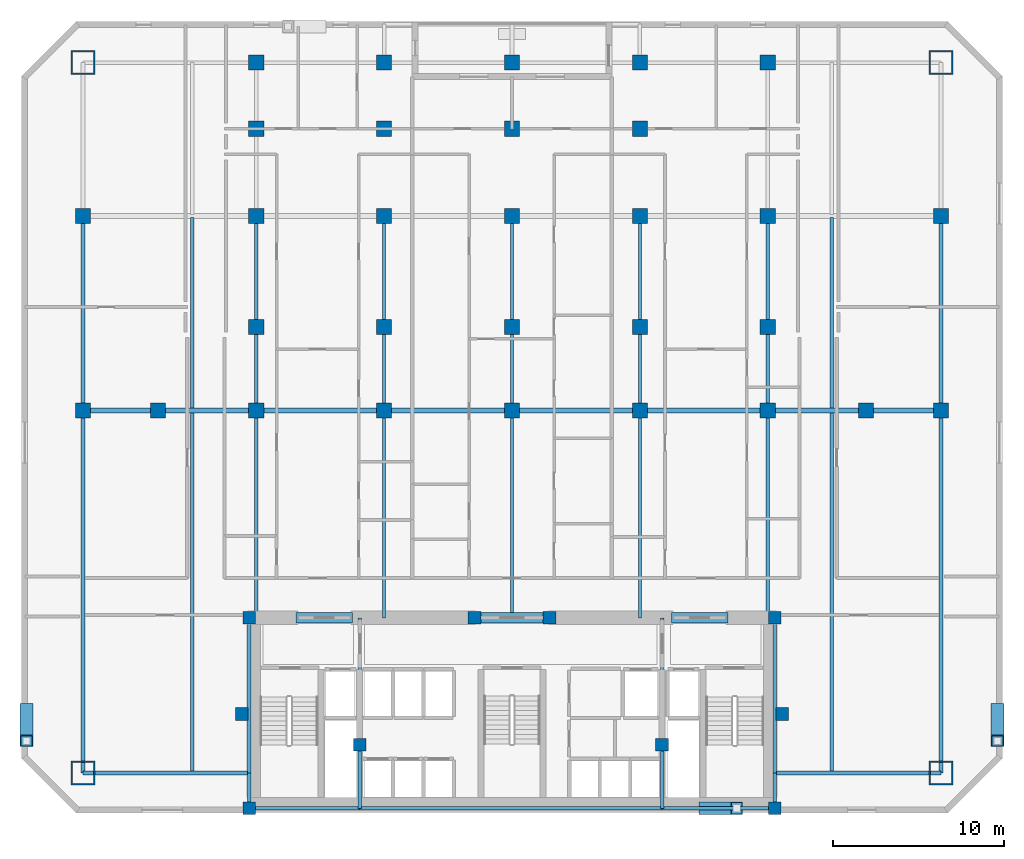
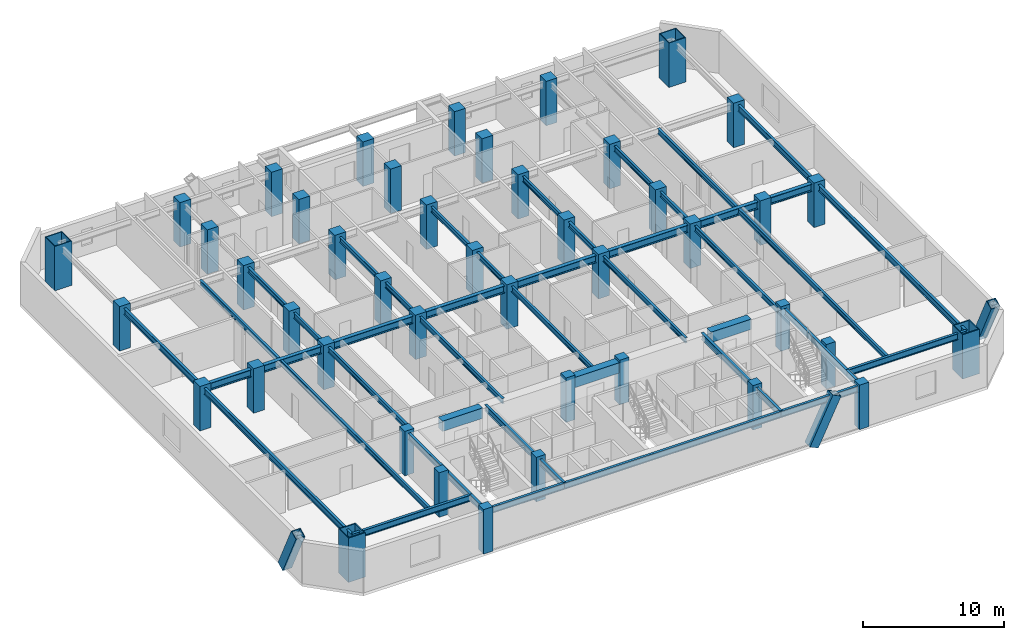
# One storey, part 1 of 9: 44 columns, 42 beams, 3 members.
"""IFC4 building model written with IfcOpenShell, lengths in metres."""

from ifc_helpers import new_model, si_unit, direction, frame, origin, origin_2d, place, context, subcontext, project, spatial, rectangle, hollow_rectangle, i_section, extrude, material, material_profile, profile_set, type_object, element, save


model = new_model("IFC4")

# Units and contexts
model_context = context("Model", 3, precision=1e-05, world=origin(), true_north=direction((0.0, 1.0)))
body_context = subcontext(model_context, "Body", "Model", "MODEL_VIEW")
ifc_project = project(units=[si_unit("LENGTHUNIT", "METRE"), si_unit("AREAUNIT", "SQUARE_METRE"), si_unit("VOLUMEUNIT", "CUBIC_METRE"), si_unit("PLANEANGLEUNIT", "RADIAN"), si_unit("MASSUNIT", "GRAM", prefix="KILO")], contexts=[model_context])

# Site, building, storey
site_placement = place(None, origin())
site = spatial("IfcSite", under=ifc_project, at=site_placement, CompositionType="ELEMENT")
building_placement = place(site_placement, origin())
building = spatial("IfcBuilding", under=site, at=building_placement, Name="Ventersveld Concourse Tower", CompositionType="ELEMENT")
storey_placement = place(building_placement, frame((0.0, 0.0, 52.89990234375)))
storey = spatial("IfcBuildingStorey", under=building, at=storey_placement, Name="L12", CompositionType="ELEMENT", Elevation=52.89990234375)

# Columns
ifc_material_1 = material(Name="Concrete C50/60", Category="concrete")
ifc_material_profile_1 = material_profile(ifc_material_1, rectangle(XDim=0.75, YDim=0.75, at=origin_2d()), Name="RC 750x750")
ifc_profile_set_1 = profile_set([ifc_material_profile_1], Name="Concrete C50/60")
column_type_1 = type_object("IfcColumnType", Name="COL-RC750", PredefinedType="COLUMN", material=ifc_profile_set_1)
for number, where, z_axis, x_axis, name in (
    (1, (13.35009765625, 0.280029296875, 0.0), (0.0, 0.0, 1.0), (1.0, 0.0, 0.0), "L12 Core Spine Column CC-SW"),
    (2, (44.14990234375, 0.280029296875, 0.0), (0.0, 0.0, 1.0), (1.0, 0.0, 0.0), "L12 Core Spine Column CC-SE"),
    (3, (13.35009765625, 11.449951171875, 0.0), (0.0, 0.0, 1.0), (1.0, 0.0, 0.0), "L12 Core Spine Column CC-NW"),
    (4, (44.14990234375, 11.449951171875, 0.0), (0.0, 0.0, 1.0), (1.0, 0.0, 0.0), "L12 Core Spine Column CC-NE"),
    (5, (19.820068359375, 4.0, 0.0), (0.0, 0.0, 1.0), (1.0, 0.0, 0.0), "L12 Core Spine Column CM-1"),
    (6, (37.550048828125, 4.0, 0.0), (0.0, 0.0, 1.0), (1.0, 0.0, 0.0), "L12 Core Spine Column CM-2"),
    (7, (26.550048828125, 11.449951171875, 0.0), (0.0, 0.0, 1.0), (1.0, 0.0, 0.0), "L12 Core Spine Column CM-3"),
    (8, (30.949951171875, 11.449951171875, 0.0), (0.0, 0.0, 1.0), (1.0, 0.0, 0.0), "L12 Core Spine Column CM-4"),
):
    element("IfcColumn", number, at=place(storey_placement, frame(where, z_axis=z_axis, x_axis=x_axis)), inside=storey, type_object=column_type_1, Name=name, PredefinedType="COLUMN", context=body_context, shape_type="SweptSolid", body=[
        extrude(rectangle(XDim=0.75, YDim=0.75, at=origin_2d()), origin(), (0.0, 0.0, 1.0), 3.85009765625),
    ])
ifc_material_2 = material(Name="Concrete C60/75", Category="concrete")
ifc_material_profile_2 = material_profile(ifc_material_2, rectangle(XDim=0.89990234375, YDim=0.89990234375, at=origin_2d()), Name="RC 900x900")
ifc_profile_set_2 = profile_set([ifc_material_profile_2], Name="Concrete C60/75")
column_type_2 = type_object("IfcColumnType", Name="COL-RC900", PredefinedType="COLUMN", material=ifc_profile_set_2)
for number, where, z_axis, x_axis, name in (
    (9, (3.60009765625, 23.60009765625, 0.0), (0.0, 0.0, 1.0), (1.0, 0.0, 0.0), "L12 Interior Gravity Column X=3.60 Y=23.60"),
    (10, (8.0, 23.60009765625, 0.0), (0.0, 0.0, 1.0), (1.0, 0.0, 0.0), "L12 Interior Gravity Column X=8.00 Y=23.60"),
    (11, (13.75, 23.60009765625, 0.0), (0.0, 0.0, 1.0), (1.0, 0.0, 0.0), "L12 Interior Gravity Column X=13.75 Y=23.60"),
    (12, (21.25, 23.60009765625, 0.0), (0.0, 0.0, 1.0), (1.0, 0.0, 0.0), "L12 Interior Gravity Column X=21.25 Y=23.60"),
    (13, (28.75, 23.60009765625, 0.0), (0.0, 0.0, 1.0), (1.0, 0.0, 0.0), "L12 Interior Gravity Column X=28.75 Y=23.60"),
    (14, (36.25, 23.60009765625, 0.0), (0.0, 0.0, 1.0), (1.0, 0.0, 0.0), "L12 Interior Gravity Column X=36.25 Y=23.60"),
    (15, (43.75, 23.60009765625, 0.0), (0.0, 0.0, 1.0), (1.0, 0.0, 0.0), "L12 Interior Gravity Column X=43.75 Y=23.60"),
    (16, (49.5, 23.60009765625, 0.0), (0.0, 0.0, 1.0), (1.0, 0.0, 0.0), "L12 Interior Gravity Column X=49.50 Y=23.60"),
    (17, (53.89990234375, 23.60009765625, 0.0), (0.0, 0.0, 1.0), (1.0, 0.0, 0.0), "L12 Interior Gravity Column X=53.90 Y=23.60"),
    (18, (13.75, 28.5, 0.0), (0.0, 0.0, 1.0), (1.0, 0.0, 0.0), "L12 Upper-North Gravity Column X=13.75 Y=28.50"),
    (19, (21.25, 28.5, 0.0), (0.0, 0.0, 1.0), (1.0, 0.0, 0.0), "L12 Upper-North Gravity Column X=21.25 Y=28.50"),
    (20, (28.75, 28.5, 0.0), (0.0, 0.0, 1.0), (1.0, 0.0, 0.0), "L12 Upper-North Gravity Column X=28.75 Y=28.50"),
    (21, (36.25, 28.5, 0.0), (0.0, 0.0, 1.0), (1.0, 0.0, 0.0), "L12 Upper-North Gravity Column X=36.25 Y=28.50"),
    (22, (43.75, 28.5, 0.0), (0.0, 0.0, 1.0), (1.0, 0.0, 0.0), "L12 Upper-North Gravity Column X=43.75 Y=28.50"),
    (23, (3.60009765625, 35.0, 0.0), (0.0, 0.0, 1.0), (1.0, 0.0, 0.0), "L12 Flank Column X=3.60 Y=35.00"),
    (24, (53.89990234375, 35.0, 0.0), (0.0, 0.0, 1.0), (1.0, 0.0, 0.0), "L12 Flank Column X=53.90 Y=35.00"),
    (25, (13.75, 44.0, 0.0), (0.0, 0.0, 1.0), (1.0, 0.0, 0.0), "L12 North Perimeter Column X=13.75 Y=44.00"),
    (26, (21.25, 44.0, 0.0), (0.0, 0.0, 1.0), (1.0, 0.0, 0.0), "L12 North Perimeter Column X=21.25 Y=44.00"),
    (27, (28.75, 44.0, 0.0), (0.0, 0.0, 1.0), (1.0, 0.0, 0.0), "L12 North Perimeter Column X=28.75 Y=44.00"),
    (28, (36.25, 44.0, 0.0), (0.0, 0.0, 1.0), (1.0, 0.0, 0.0), "L12 North Perimeter Column X=36.25 Y=44.00"),
    (29, (43.75, 44.0, 0.0), (0.0, 0.0, 1.0), (1.0, 0.0, 0.0), "L12 North Perimeter Column X=43.75 Y=44.00"),
    (30, (13.75, 40.1201171875, 0.0), (0.0, 0.0, 1.0), (1.0, 0.0, 0.0), "L12 North Brace Node Column X=13.75 Y=40.12"),
    (31, (21.25, 40.1201171875, 0.0), (0.0, 0.0, 1.0), (1.0, 0.0, 0.0), "L12 North Brace Node Column X=21.25 Y=40.12"),
    (32, (28.75, 40.1201171875, 0.0), (0.0, 0.0, 1.0), (1.0, 0.0, 0.0), "L12 North Brace Node Column X=28.75 Y=40.12"),
    (33, (36.25, 40.1201171875, 0.0), (0.0, 0.0, 1.0), (1.0, 0.0, 0.0), "L12 North Brace Node Column X=36.25 Y=40.12"),
    (34, (13.75, 35.0, 0.0), (0.0, 0.0, 1.0), (1.0, 0.0, 0.0), "L12 Mid-North Column X=13.75 Y=35.00"),
    (35, (21.25, 35.0, 0.0), (0.0, 0.0, 1.0), (1.0, 0.0, 0.0), "L12 Mid-North Column X=21.25 Y=35.00"),
    (36, (28.75, 35.0, 0.0), (0.0, 0.0, 1.0), (1.0, 0.0, 0.0), "L12 Mid-North Column X=28.75 Y=35.00"),
    (37, (36.25, 35.0, 0.0), (0.0, 0.0, 1.0), (1.0, 0.0, 0.0), "L12 Mid-North Column X=36.25 Y=35.00"),
    (38, (43.75, 35.0, 0.0), (0.0, 0.0, 1.0), (1.0, 0.0, 0.0), "L12 Mid-North Column X=43.75 Y=35.00"),
):
    element("IfcColumn", number, at=place(storey_placement, frame(where, z_axis=z_axis, x_axis=x_axis)), inside=storey, type_object=column_type_2, Name=name, PredefinedType="COLUMN", context=body_context, shape_type="SweptSolid", body=[
        extrude(rectangle(XDim=0.89990234375, YDim=0.89990234375, at=origin_2d()), origin(), (0.0, 0.0, 1.0), 3.85009765625),
    ])
ifc_material_3 = material(Name="Structural steel S460ML", Category="steel")
ifc_material_profile_3 = material_profile(ifc_material_3, hollow_rectangle(XDim=1.39990234375, YDim=1.39990234375, WallThickness=0.080078125, at=origin_2d()), Name="BOX 1400x1400x80")
ifc_profile_set_3 = profile_set([ifc_material_profile_3], Name="Structural steel S460ML")
column_type_3 = type_object("IfcColumnType", Name="MC-1400", PredefinedType="USERDEFINED", material=ifc_profile_set_3)
for number, where, z_axis, x_axis, name in (
    (39, (3.60009765625, 2.35009765625, 0.0), (0.0, 0.0, 1.0), (1.0, 0.0, 0.0), "L12 Corner Mega-Column MC-SW"),
    (40, (53.89990234375, 2.35009765625, 0.0), (0.0, 0.0, 1.0), (1.0, 0.0, 0.0), "L12 Corner Mega-Column MC-SE"),
    (41, (53.89990234375, 44.0, 0.0), (0.0, 0.0, 1.0), (1.0, 0.0, 0.0), "L12 Corner Mega-Column MC-NE"),
    (42, (3.60009765625, 44.0, 0.0), (0.0, 0.0, 1.0), (1.0, 0.0, 0.0), "L12 Corner Mega-Column MC-NW"),
):
    element("IfcColumn", number, at=place(storey_placement, frame(where, z_axis=z_axis, x_axis=x_axis)), inside=storey, type_object=column_type_3, Name=name, ObjectType="MEGA_COLUMN", PredefinedType="USERDEFINED", context=body_context, shape_type="SweptSolid", body=[
        extrude(hollow_rectangle(XDim=1.39990234375, YDim=1.39990234375, WallThickness=0.080078125, at=origin_2d()), origin(), (0.0, 0.0, 1.0), 3.85009765625),
    ])
ifc_material_profile_4 = material_profile(ifc_material_1, rectangle(XDim=0.75, YDim=0.75, at=origin_2d()), Name="RC 750x750")
ifc_profile_set_4 = profile_set([ifc_material_profile_4], Name="Concrete C50/60")
column_type_4 = type_object("IfcColumnType", Name="PIL-RC750", PredefinedType="PILASTER", material=ifc_profile_set_4)
for number, where, z_axis, x_axis, name in (
    (43, (12.89990234375, 5.800048828125, 0.0), (0.0, 0.0, 1.0), (1.0, 0.0, 0.0), "L12 Core Engaged Pilaster PIL-W"),
    (44, (44.60009765625, 5.800048828125, 0.0), (0.0, 0.0, 1.0), (1.0, 0.0, 0.0), "L12 Core Engaged Pilaster PIL-E"),
):
    element("IfcColumn", number, at=place(storey_placement, frame(where, z_axis=z_axis, x_axis=x_axis)), inside=storey, type_object=column_type_4, Name=name, PredefinedType="PILASTER", context=body_context, shape_type="SweptSolid", body=[
        extrude(rectangle(XDim=0.75, YDim=0.75, at=origin_2d()), origin(), (0.0, 0.0, 1.0), 3.85009765625),
    ])

# Beams
ifc_material_4 = material(Name="Structural steel S355J2", Category="steel")
ifc_material_profile_5 = material_profile(ifc_material_4, i_section(OverallWidth=0.19140625, OverallDepth=0.4599609375, WebThickness=0.010009765625, FlangeThickness=0.01611328125, FilletRadius=0.01025390625, at=origin_2d()), Name="UB 457x191x82")
ifc_profile_set_5 = profile_set([ifc_material_profile_5], Name="Structural steel S355J2")
beam_type_1 = type_object("IfcBeamType", Name="BM-UB457H", PredefinedType="BEAM", material=ifc_profile_set_5)
beam_1_placement = place(storey_placement, frame((10.0, 2.35009765625, 3.3701171875), z_axis=(0.0, 1.0, 0.0), x_axis=(-1.0, 0.0, 0.0)))
element("IfcBeam", 45, at=beam_1_placement, inside=storey, type_object=beam_type_1, Name="L12 N-S Composite Floor Beam South X=10.00", PredefinedType="BEAM", context=body_context, shape_type="SweptSolid", body=[
    extrude(i_section(OverallWidth=0.19140625, OverallDepth=0.4599609375, WebThickness=0.010009765625, FlangeThickness=0.01611328125, FilletRadius=0.01025390625, at=origin_2d()), origin(), (0.0, 0.0, 1.0), 21.15478515625),
])
beam_2_placement = place(storey_placement, frame((10.0, 23.695068359375, 3.3701171875), z_axis=(0.0, 1.0, 0.0), x_axis=(-1.0, 0.0, 0.0)))
element("IfcBeam", 46, at=beam_2_placement, inside=storey, type_object=beam_type_1, Name="L12 N-S Composite Floor Beam Mid X=10.00", PredefinedType="BEAM", context=body_context, shape_type="SweptSolid", body=[
    extrude(i_section(OverallWidth=0.19140625, OverallDepth=0.4599609375, WebThickness=0.010009765625, FlangeThickness=0.01611328125, FilletRadius=0.01025390625, at=origin_2d()), origin(), (0.0, 0.0, 1.0), 11.2099609375),
])
beam_3_placement = place(storey_placement, frame((13.75, 11.449951171875, 3.3701171875), z_axis=(0.0, 1.0, 0.0), x_axis=(-1.0, 0.0, 0.0)))
element("IfcBeam", 47, at=beam_3_placement, inside=storey, type_object=beam_type_1, Name="L12 N-S Composite Floor Beam South X=13.75", PredefinedType="BEAM", context=body_context, shape_type="SweptSolid", body=[
    extrude(i_section(OverallWidth=0.19140625, OverallDepth=0.4599609375, WebThickness=0.010009765625, FlangeThickness=0.01611328125, FilletRadius=0.01025390625, at=origin_2d()), origin(), (0.0, 0.0, 1.0), 12.150146484375),
])
beam_4_placement = place(storey_placement, frame((13.75, 23.60009765625, 3.3701171875), z_axis=(0.0, 1.0, 0.0), x_axis=(-1.0, 0.0, 0.0)))
element("IfcBeam", 48, at=beam_4_placement, inside=storey, type_object=beam_type_1, Name="L12 N-S Composite Floor Beam Mid X=13.75", PredefinedType="BEAM", context=body_context, shape_type="SweptSolid", body=[
    extrude(i_section(OverallWidth=0.19140625, OverallDepth=0.4599609375, WebThickness=0.010009765625, FlangeThickness=0.01611328125, FilletRadius=0.01025390625, at=origin_2d()), origin(), (0.0, 0.0, 1.0), 11.39990234375),
])
beam_5_placement = place(storey_placement, frame((21.25, 11.449951171875, 3.3701171875), z_axis=(0.0, 1.0, 0.0), x_axis=(-1.0, 0.0, 0.0)))
element("IfcBeam", 49, at=beam_5_placement, inside=storey, type_object=beam_type_1, Name="L12 N-S Composite Floor Beam South X=21.25", PredefinedType="BEAM", context=body_context, shape_type="SweptSolid", body=[
    extrude(i_section(OverallWidth=0.19140625, OverallDepth=0.4599609375, WebThickness=0.010009765625, FlangeThickness=0.01611328125, FilletRadius=0.01025390625, at=origin_2d()), origin(), (0.0, 0.0, 1.0), 12.150146484375),
])
beam_6_placement = place(storey_placement, frame((21.25, 23.60009765625, 3.3701171875), z_axis=(0.0, 1.0, 0.0), x_axis=(-1.0, 0.0, 0.0)))
element("IfcBeam", 50, at=beam_6_placement, inside=storey, type_object=beam_type_1, Name="L12 N-S Composite Floor Beam Mid X=21.25", PredefinedType="BEAM", context=body_context, shape_type="SweptSolid", body=[
    extrude(i_section(OverallWidth=0.19140625, OverallDepth=0.4599609375, WebThickness=0.010009765625, FlangeThickness=0.01611328125, FilletRadius=0.01025390625, at=origin_2d()), origin(), (0.0, 0.0, 1.0), 11.39990234375),
])
beam_7_placement = place(storey_placement, frame((28.75, 11.449951171875, 3.3701171875), z_axis=(0.0, 1.0, 0.0), x_axis=(-1.0, 0.0, 0.0)))
element("IfcBeam", 51, at=beam_7_placement, inside=storey, type_object=beam_type_1, Name="L12 N-S Composite Floor Beam South X=28.75", PredefinedType="BEAM", context=body_context, shape_type="SweptSolid", body=[
    extrude(i_section(OverallWidth=0.19140625, OverallDepth=0.4599609375, WebThickness=0.010009765625, FlangeThickness=0.01611328125, FilletRadius=0.01025390625, at=origin_2d()), origin(), (0.0, 0.0, 1.0), 12.150146484375),
])
beam_8_placement = place(storey_placement, frame((28.75, 23.60009765625, 3.3701171875), z_axis=(0.0, 1.0, 0.0), x_axis=(-1.0, 0.0, 0.0)))
element("IfcBeam", 52, at=beam_8_placement, inside=storey, type_object=beam_type_1, Name="L12 N-S Composite Floor Beam Mid X=28.75", PredefinedType="BEAM", context=body_context, shape_type="SweptSolid", body=[
    extrude(i_section(OverallWidth=0.19140625, OverallDepth=0.4599609375, WebThickness=0.010009765625, FlangeThickness=0.01611328125, FilletRadius=0.01025390625, at=origin_2d()), origin(), (0.0, 0.0, 1.0), 11.39990234375),
])
beam_9_placement = place(storey_placement, frame((36.25, 11.449951171875, 3.3701171875), z_axis=(0.0, 1.0, 0.0), x_axis=(-1.0, 0.0, 0.0)))
element("IfcBeam", 53, at=beam_9_placement, inside=storey, type_object=beam_type_1, Name="L12 N-S Composite Floor Beam South X=36.25", PredefinedType="BEAM", context=body_context, shape_type="SweptSolid", body=[
    extrude(i_section(OverallWidth=0.19140625, OverallDepth=0.4599609375, WebThickness=0.010009765625, FlangeThickness=0.01611328125, FilletRadius=0.01025390625, at=origin_2d()), origin(), (0.0, 0.0, 1.0), 12.150146484375),
])
beam_10_placement = place(storey_placement, frame((36.25, 23.60009765625, 3.3701171875), z_axis=(0.0, 1.0, 0.0), x_axis=(-1.0, 0.0, 0.0)))
element("IfcBeam", 54, at=beam_10_placement, inside=storey, type_object=beam_type_1, Name="L12 N-S Composite Floor Beam Mid X=36.25", PredefinedType="BEAM", context=body_context, shape_type="SweptSolid", body=[
    extrude(i_section(OverallWidth=0.19140625, OverallDepth=0.4599609375, WebThickness=0.010009765625, FlangeThickness=0.01611328125, FilletRadius=0.01025390625, at=origin_2d()), origin(), (0.0, 0.0, 1.0), 11.39990234375),
])
beam_11_placement = place(storey_placement, frame((43.75, 11.449951171875, 3.3701171875), z_axis=(0.0, 1.0, 0.0), x_axis=(-1.0, 0.0, 0.0)))
element("IfcBeam", 55, at=beam_11_placement, inside=storey, type_object=beam_type_1, Name="L12 N-S Composite Floor Beam South X=43.75", PredefinedType="BEAM", context=body_context, shape_type="SweptSolid", body=[
    extrude(i_section(OverallWidth=0.19140625, OverallDepth=0.4599609375, WebThickness=0.010009765625, FlangeThickness=0.01611328125, FilletRadius=0.01025390625, at=origin_2d()), origin(), (0.0, 0.0, 1.0), 12.150146484375),
])
beam_12_placement = place(storey_placement, frame((43.75, 23.60009765625, 3.3701171875), z_axis=(0.0, 1.0, 0.0), x_axis=(-1.0, 0.0, 0.0)))
element("IfcBeam", 56, at=beam_12_placement, inside=storey, type_object=beam_type_1, Name="L12 N-S Composite Floor Beam Mid X=43.75", PredefinedType="BEAM", context=body_context, shape_type="SweptSolid", body=[
    extrude(i_section(OverallWidth=0.19140625, OverallDepth=0.4599609375, WebThickness=0.010009765625, FlangeThickness=0.01611328125, FilletRadius=0.01025390625, at=origin_2d()), origin(), (0.0, 0.0, 1.0), 11.39990234375),
])
beam_13_placement = place(storey_placement, frame((47.5, 2.35009765625, 3.3701171875), z_axis=(0.0, 1.0, 0.0), x_axis=(-1.0, 0.0, 0.0)))
element("IfcBeam", 57, at=beam_13_placement, inside=storey, type_object=beam_type_1, Name="L12 N-S Composite Floor Beam South X=47.50", PredefinedType="BEAM", context=body_context, shape_type="SweptSolid", body=[
    extrude(i_section(OverallWidth=0.19140625, OverallDepth=0.4599609375, WebThickness=0.010009765625, FlangeThickness=0.01611328125, FilletRadius=0.01025390625, at=origin_2d()), origin(), (0.0, 0.0, 1.0), 21.15478515625),
])
beam_14_placement = place(storey_placement, frame((47.5, 23.695068359375, 3.3701171875), z_axis=(0.0, 1.0, 0.0), x_axis=(-1.0, 0.0, 0.0)))
element("IfcBeam", 58, at=beam_14_placement, inside=storey, type_object=beam_type_1, Name="L12 N-S Composite Floor Beam Mid X=47.50", PredefinedType="BEAM", context=body_context, shape_type="SweptSolid", body=[
    extrude(i_section(OverallWidth=0.19140625, OverallDepth=0.4599609375, WebThickness=0.010009765625, FlangeThickness=0.01611328125, FilletRadius=0.01025390625, at=origin_2d()), origin(), (0.0, 0.0, 1.0), 11.2099609375),
])
ifc_material_profile_6 = material_profile(ifc_material_2, rectangle(XDim=0.60009765625, YDim=0.89990234375, at=origin_2d()), Name="RC 600x900")
ifc_profile_set_6 = profile_set([ifc_material_profile_6], Name="Concrete C60/75")
beam_type_2 = type_object("IfcBeamType", Name="CB-RC600x900L", PredefinedType="LINTEL", material=ifc_profile_set_6)
beam_15_placement = place(storey_placement, frame((16.10009765625, 11.449951171875, 3.150146484375), z_axis=(1.0, 0.0, 0.0), x_axis=(0.0, 1.0, 0.0)))
element("IfcBeam", 59, at=beam_15_placement, inside=storey, type_object=beam_type_2, Name="L12 Core Coupling Lintel Beam 1", PredefinedType="LINTEL", context=body_context, shape_type="SweptSolid", body=[
    extrude(rectangle(XDim=0.60009765625, YDim=0.89990234375, at=origin_2d()), origin(), (0.0, 0.0, 1.0), 3.2998046875),
])
beam_16_placement = place(storey_placement, frame((26.5, 11.449951171875, 3.150146484375), z_axis=(1.0, 0.0, 0.0), x_axis=(0.0, 1.0, 0.0)))
element("IfcBeam", 60, at=beam_16_placement, inside=storey, type_object=beam_type_2, Name="L12 Core Coupling Lintel Beam 2", PredefinedType="LINTEL", context=body_context, shape_type="SweptSolid", body=[
    extrude(rectangle(XDim=0.60009765625, YDim=0.89990234375, at=origin_2d()), origin(), (0.0, 0.0, 1.0), 4.5),
])
beam_17_placement = place(storey_placement, frame((38.10009765625, 11.449951171875, 3.150146484375), z_axis=(1.0, 0.0, 0.0), x_axis=(0.0, 1.0, 0.0)))
element("IfcBeam", 61, at=beam_17_placement, inside=storey, type_object=beam_type_2, Name="L12 Core Coupling Lintel Beam 3", PredefinedType="LINTEL", context=body_context, shape_type="SweptSolid", body=[
    extrude(rectangle(XDim=0.60009765625, YDim=0.89990234375, at=origin_2d()), origin(), (0.0, 0.0, 1.0), 3.2998046875),
])
ifc_material_profile_7 = material_profile(ifc_material_4, i_section(OverallWidth=0.2119140625, OverallDepth=0.54443359375, WebThickness=0.0126953125, FlangeThickness=0.021240234375, FilletRadius=0.0126953125, at=origin_2d()), Name="UB 533x210x122")
ifc_profile_set_7 = profile_set([ifc_material_profile_7], Name="Structural steel S355J2")
beam_type_3 = type_object("IfcBeamType", Name="GRD-UB533H", PredefinedType="T_BEAM", material=ifc_profile_set_7)
beam_18_placement = place(storey_placement, frame((13.35009765625, 0.280029296875, 3.327880859375), z_axis=(0.0, 1.0, 0.0), x_axis=(-1.0, 0.0, 0.0)))
element("IfcBeam", 62, at=beam_18_placement, inside=storey, type_object=beam_type_3, Name="L12 Core West Tie Beam S", PredefinedType="T_BEAM", context=body_context, shape_type="SweptSolid", body=[
    extrude(i_section(OverallWidth=0.2119140625, OverallDepth=0.54443359375, WebThickness=0.0126953125, FlangeThickness=0.021240234375, FilletRadius=0.0126953125, at=origin_2d()), origin(), (0.0, 0.0, 1.0), 2.070068359375),
])
beam_19_placement = place(storey_placement, frame((13.35009765625, 2.35009765625, 3.327880859375), z_axis=(0.0, 1.0, 0.0), x_axis=(-1.0, 0.0, 0.0)))
element("IfcBeam", 63, at=beam_19_placement, inside=storey, type_object=beam_type_3, Name="L12 Core West Tie Beam N", PredefinedType="T_BEAM", context=body_context, shape_type="SweptSolid", body=[
    extrude(i_section(OverallWidth=0.2119140625, OverallDepth=0.54443359375, WebThickness=0.0126953125, FlangeThickness=0.021240234375, FilletRadius=0.0126953125, at=origin_2d()), origin(), (0.0, 0.0, 1.0), 9.099853515625),
])
beam_20_placement = place(storey_placement, frame((44.14990234375, 0.280029296875, 3.327880859375), z_axis=(0.0, 1.0, 0.0), x_axis=(-1.0, 0.0, 0.0)))
element("IfcBeam", 64, at=beam_20_placement, inside=storey, type_object=beam_type_3, Name="L12 Core East Tie Beam S", PredefinedType="T_BEAM", context=body_context, shape_type="SweptSolid", body=[
    extrude(i_section(OverallWidth=0.2119140625, OverallDepth=0.54443359375, WebThickness=0.0126953125, FlangeThickness=0.021240234375, FilletRadius=0.0126953125, at=origin_2d()), origin(), (0.0, 0.0, 1.0), 2.070068359375),
])
beam_21_placement = place(storey_placement, frame((44.14990234375, 2.35009765625, 3.327880859375), z_axis=(0.0, 1.0, 0.0), x_axis=(-1.0, 0.0, 0.0)))
element("IfcBeam", 65, at=beam_21_placement, inside=storey, type_object=beam_type_3, Name="L12 Core East Tie Beam N", PredefinedType="T_BEAM", context=body_context, shape_type="SweptSolid", body=[
    extrude(i_section(OverallWidth=0.2119140625, OverallDepth=0.54443359375, WebThickness=0.0126953125, FlangeThickness=0.021240234375, FilletRadius=0.0126953125, at=origin_2d()), origin(), (0.0, 0.0, 1.0), 9.099853515625),
])
beam_22_placement = place(storey_placement, frame((13.35009765625, 0.280029296875, 3.327880859375), z_axis=(1.0, 0.0, 0.0), x_axis=(0.0, 1.0, 0.0)))
element("IfcBeam", 66, at=beam_22_placement, inside=storey, type_object=beam_type_3, Name="L12 Core South Tie Beam W", PredefinedType="T_BEAM", context=body_context, shape_type="SweptSolid", body=[
    extrude(i_section(OverallWidth=0.2119140625, OverallDepth=0.54443359375, WebThickness=0.0126953125, FlangeThickness=0.021240234375, FilletRadius=0.0126953125, at=origin_2d()), origin(), (0.0, 0.0, 1.0), 6.469970703125),
])
beam_23_placement = place(storey_placement, frame((19.820068359375, 0.280029296875, 3.327880859375), z_axis=(1.0, 0.0, 0.0), x_axis=(0.0, 1.0, 0.0)))
element("IfcBeam", 67, at=beam_23_placement, inside=storey, type_object=beam_type_3, Name="L12 Core South Tie Beam C", PredefinedType="T_BEAM", context=body_context, shape_type="SweptSolid", body=[
    extrude(i_section(OverallWidth=0.2119140625, OverallDepth=0.54443359375, WebThickness=0.0126953125, FlangeThickness=0.021240234375, FilletRadius=0.0126953125, at=origin_2d()), origin(), (0.0, 0.0, 1.0), 17.72998046875),
])
beam_24_placement = place(storey_placement, frame((37.550048828125, 0.280029296875, 3.327880859375), z_axis=(1.0, 0.0, 0.0), x_axis=(0.0, 1.0, 0.0)))
element("IfcBeam", 68, at=beam_24_placement, inside=storey, type_object=beam_type_3, Name="L12 Core South Tie Beam E", PredefinedType="T_BEAM", context=body_context, shape_type="SweptSolid", body=[
    extrude(i_section(OverallWidth=0.2119140625, OverallDepth=0.54443359375, WebThickness=0.0126953125, FlangeThickness=0.021240234375, FilletRadius=0.0126953125, at=origin_2d()), origin(), (0.0, 0.0, 1.0), 6.599853515625),
])
beam_25_placement = place(storey_placement, frame((19.820068359375, 0.280029296875, 3.327880859375), z_axis=(0.0, 1.0, 0.0), x_axis=(-1.0, 0.0, 0.0)))
element("IfcBeam", 69, at=beam_25_placement, inside=storey, type_object=beam_type_3, Name="L12 Core Spine N-S Tie Beam W1", PredefinedType="T_BEAM", context=body_context, shape_type="SweptSolid", body=[
    extrude(i_section(OverallWidth=0.2119140625, OverallDepth=0.54443359375, WebThickness=0.0126953125, FlangeThickness=0.021240234375, FilletRadius=0.0126953125, at=origin_2d()), origin(), (0.0, 0.0, 1.0), 3.719970703125),
])
beam_26_placement = place(storey_placement, frame((19.820068359375, 4.0, 3.327880859375), z_axis=(0.0, 1.0, 0.0), x_axis=(-1.0, 0.0, 0.0)))
element("IfcBeam", 70, at=beam_26_placement, inside=storey, type_object=beam_type_3, Name="L12 Core Spine N-S Tie Beam W2", PredefinedType="T_BEAM", context=body_context, shape_type="SweptSolid", body=[
    extrude(i_section(OverallWidth=0.2119140625, OverallDepth=0.54443359375, WebThickness=0.0126953125, FlangeThickness=0.021240234375, FilletRadius=0.0126953125, at=origin_2d()), origin(), (0.0, 0.0, 1.0), 7.449951171875),
])
beam_27_placement = place(storey_placement, frame((37.550048828125, 0.280029296875, 3.327880859375), z_axis=(0.0, 1.0, 0.0), x_axis=(-1.0, 0.0, 0.0)))
element("IfcBeam", 71, at=beam_27_placement, inside=storey, type_object=beam_type_3, Name="L12 Core Spine N-S Tie Beam E1", PredefinedType="T_BEAM", context=body_context, shape_type="SweptSolid", body=[
    extrude(i_section(OverallWidth=0.2119140625, OverallDepth=0.54443359375, WebThickness=0.0126953125, FlangeThickness=0.021240234375, FilletRadius=0.0126953125, at=origin_2d()), origin(), (0.0, 0.0, 1.0), 3.719970703125),
])
beam_28_placement = place(storey_placement, frame((37.550048828125, 4.0, 3.327880859375), z_axis=(0.0, 1.0, 0.0), x_axis=(-1.0, 0.0, 0.0)))
element("IfcBeam", 72, at=beam_28_placement, inside=storey, type_object=beam_type_3, Name="L12 Core Spine N-S Tie Beam E2", PredefinedType="T_BEAM", context=body_context, shape_type="SweptSolid", body=[
    extrude(i_section(OverallWidth=0.2119140625, OverallDepth=0.54443359375, WebThickness=0.0126953125, FlangeThickness=0.021240234375, FilletRadius=0.0126953125, at=origin_2d()), origin(), (0.0, 0.0, 1.0), 7.449951171875),
])
ifc_material_profile_8 = material_profile(ifc_material_4, i_section(OverallWidth=0.311279296875, OverallDepth=0.6357421875, WebThickness=0.018310546875, FlangeThickness=0.031494140625, FilletRadius=0.0166015625, at=origin_2d()), Name="UB 610x305x238")
ifc_profile_set_8 = profile_set([ifc_material_profile_8], Name="Structural steel S355J2")
beam_type_4 = type_object("IfcBeamType", Name="GRD-UB610H", PredefinedType="USERDEFINED", material=ifc_profile_set_8)
beam_29_placement = place(storey_placement, frame((3.60009765625, 23.60009765625, 3.2822265625), z_axis=(1.0, 0.0, 0.0), x_axis=(0.0, 1.0, 0.0)))
element("IfcBeam", 73, at=beam_29_placement, inside=storey, type_object=beam_type_4, Name="L12 Primary E-W Grid Girder Y=23.60 #1", ObjectType="GIRDER", PredefinedType="USERDEFINED", context=body_context, shape_type="SweptSolid", body=[
    extrude(i_section(OverallWidth=0.311279296875, OverallDepth=0.6357421875, WebThickness=0.018310546875, FlangeThickness=0.031494140625, FilletRadius=0.0166015625, at=origin_2d()), origin(), (0.0, 0.0, 1.0), 4.39990234375),
])
beam_30_placement = place(storey_placement, frame((8.0, 23.60009765625, 3.2822265625), z_axis=(1.0, 0.0, 0.0), x_axis=(0.0, 1.0, 0.0)))
element("IfcBeam", 74, at=beam_30_placement, inside=storey, type_object=beam_type_4, Name="L12 Primary E-W Grid Girder Y=23.60 #2", ObjectType="GIRDER", PredefinedType="USERDEFINED", context=body_context, shape_type="SweptSolid", body=[
    extrude(i_section(OverallWidth=0.311279296875, OverallDepth=0.6357421875, WebThickness=0.018310546875, FlangeThickness=0.031494140625, FilletRadius=0.0166015625, at=origin_2d()), origin(), (0.0, 0.0, 1.0), 5.75),
])
for number, where, z_axis, x_axis, name in (
    (75, (13.75, 23.60009765625, 3.2822265625), (1.0, 0.0, 0.0), (0.0, 1.0, 0.0), "L12 Primary E-W Grid Girder Y=23.60 #3"),
    (76, (21.25, 23.60009765625, 3.2822265625), (1.0, 0.0, 0.0), (0.0, 1.0, 0.0), "L12 Primary E-W Grid Girder Y=23.60 #4"),
    (77, (28.75, 23.60009765625, 3.2822265625), (1.0, 0.0, 0.0), (0.0, 1.0, 0.0), "L12 Primary E-W Grid Girder Y=23.60 #5"),
    (78, (36.25, 23.60009765625, 3.2822265625), (1.0, 0.0, 0.0), (0.0, 1.0, 0.0), "L12 Primary E-W Grid Girder Y=23.60 #6"),
):
    element("IfcBeam", number, at=place(storey_placement, frame(where, z_axis=z_axis, x_axis=x_axis)), inside=storey, type_object=beam_type_4, Name=name, ObjectType="GIRDER", PredefinedType="USERDEFINED", context=body_context, shape_type="SweptSolid", body=[
        extrude(i_section(OverallWidth=0.311279296875, OverallDepth=0.6357421875, WebThickness=0.018310546875, FlangeThickness=0.031494140625, FilletRadius=0.0166015625, at=origin_2d()), origin(), (0.0, 0.0, 1.0), 7.5),
    ])
beam_31_placement = place(storey_placement, frame((43.75, 23.60009765625, 3.2822265625), z_axis=(1.0, 0.0, 0.0), x_axis=(0.0, 1.0, 0.0)))
element("IfcBeam", 79, at=beam_31_placement, inside=storey, type_object=beam_type_4, Name="L12 Primary E-W Grid Girder Y=23.60 #7", ObjectType="GIRDER", PredefinedType="USERDEFINED", context=body_context, shape_type="SweptSolid", body=[
    extrude(i_section(OverallWidth=0.311279296875, OverallDepth=0.6357421875, WebThickness=0.018310546875, FlangeThickness=0.031494140625, FilletRadius=0.0166015625, at=origin_2d()), origin(), (0.0, 0.0, 1.0), 5.75),
])
beam_32_placement = place(storey_placement, frame((49.5, 23.60009765625, 3.2822265625), z_axis=(1.0, 0.0, 0.0), x_axis=(0.0, 1.0, 0.0)))
element("IfcBeam", 80, at=beam_32_placement, inside=storey, type_object=beam_type_4, Name="L12 Primary E-W Grid Girder Y=23.60 #8", ObjectType="GIRDER", PredefinedType="USERDEFINED", context=body_context, shape_type="SweptSolid", body=[
    extrude(i_section(OverallWidth=0.311279296875, OverallDepth=0.6357421875, WebThickness=0.018310546875, FlangeThickness=0.031494140625, FilletRadius=0.0166015625, at=origin_2d()), origin(), (0.0, 0.0, 1.0), 4.39990234375),
])

# Members
ifc_material_5 = material(Name="Structural steel S355ML", Category="steel")
ifc_material_profile_9 = material_profile(ifc_material_5, hollow_rectangle(XDim=0.75, YDim=0.75, WallThickness=0.044921875, at=origin_2d()), Name="BOX 750x750x45")
ifc_profile_set_9 = profile_set([ifc_material_profile_9], Name="Structural steel S355ML")
member_type = type_object("IfcMemberType", Name="MB-750x750", PredefinedType="BRACE", material=ifc_profile_set_9)
for number, where, z_axis, x_axis, name in (
    (81, (40.050048828125, 0.280029296875, -0.25), (0.437839464193, 0.0, 0.899053170616), (0.0, 1.0, 0.0), "L12 Exterior Mega-Brace S (Module M02)"),
    (82, (0.280029296875, 6.10009765625, -0.25), (0.0, -0.437839464193, 0.899053170616), (1.0, 0.0, 0.0), "L12 Exterior Mega-Brace W (Module M02)"),
    (83, (57.219970703125, 6.10009765625, -0.25), (0.0, -0.437839464193, 0.899053170616), (1.0, 0.0, 0.0), "L12 Exterior Mega-Brace E (Module M02)"),
):
    element("IfcMember", number, at=place(storey_placement, frame(where, z_axis=z_axis, x_axis=x_axis)), inside=storey, type_object=member_type, Name=name, PredefinedType="BRACE", context=body_context, shape_type="SweptSolid", body=[
        extrude(hollow_rectangle(XDim=0.75, YDim=0.75, WallThickness=0.044921875, at=origin_2d()), origin(), (0.0, 0.0, 1.0), 4.282470703125),
    ])

# Beams
ifc_material_profile_10 = material_profile(ifc_material_4, i_section(OverallWidth=0.2119140625, OverallDepth=0.54443359375, WebThickness=0.0126953125, FlangeThickness=0.021240234375, FilletRadius=0.0126953125, at=origin_2d()), Name="UB 533x210x122")
ifc_profile_set_10 = profile_set([ifc_material_profile_10], Name="Structural steel S355J2")
beam_type_5 = type_object("IfcBeamType", Name="SPD-UB533", PredefinedType="SPANDREL", material=ifc_profile_set_10)
for number, where, z_axis, x_axis, name in (
    (84, (3.60009765625, 2.35009765625, 3.327880859375), (1.0, 0.0, 0.0), (0.0, 1.0, 0.0), "L12 SW Spandrel Beam"),
    (85, (44.14990234375, 2.35009765625, 3.327880859375), (1.0, 0.0, 0.0), (0.0, 1.0, 0.0), "L12 SE Spandrel Beam"),
):
    element("IfcBeam", number, at=place(storey_placement, frame(where, z_axis=z_axis, x_axis=x_axis)), inside=storey, type_object=beam_type_5, Name=name, PredefinedType="SPANDREL", context=body_context, shape_type="SweptSolid", body=[
        extrude(i_section(OverallWidth=0.2119140625, OverallDepth=0.54443359375, WebThickness=0.0126953125, FlangeThickness=0.021240234375, FilletRadius=0.0126953125, at=origin_2d()), origin(), (0.0, 0.0, 1.0), 9.75),
    ])
beam_33_placement = place(storey_placement, frame((3.60009765625, 2.35009765625, 3.327880859375), z_axis=(0.0, 1.0, 0.0), x_axis=(-1.0, 0.0, 0.0)))
element("IfcBeam", 86, at=beam_33_placement, inside=storey, type_object=beam_type_5, Name="L12 West Spandrel Beam S", PredefinedType="SPANDREL", context=body_context, shape_type="SweptSolid", body=[
    extrude(i_section(OverallWidth=0.2119140625, OverallDepth=0.54443359375, WebThickness=0.0126953125, FlangeThickness=0.021240234375, FilletRadius=0.0126953125, at=origin_2d()), origin(), (0.0, 0.0, 1.0), 21.25),
])
beam_34_placement = place(storey_placement, frame((3.60009765625, 23.60009765625, 3.327880859375), z_axis=(0.0, 1.0, 0.0), x_axis=(-1.0, 0.0, 0.0)))
element("IfcBeam", 87, at=beam_34_placement, inside=storey, type_object=beam_type_5, Name="L12 West Spandrel Beam M", PredefinedType="SPANDREL", context=body_context, shape_type="SweptSolid", body=[
    extrude(i_section(OverallWidth=0.2119140625, OverallDepth=0.54443359375, WebThickness=0.0126953125, FlangeThickness=0.021240234375, FilletRadius=0.0126953125, at=origin_2d()), origin(), (0.0, 0.0, 1.0), 11.39990234375),
])
beam_35_placement = place(storey_placement, frame((53.89990234375, 2.35009765625, 3.327880859375), z_axis=(0.0, 1.0, 0.0), x_axis=(-1.0, 0.0, 0.0)))
element("IfcBeam", 88, at=beam_35_placement, inside=storey, type_object=beam_type_5, Name="L12 East Spandrel Beam S", PredefinedType="SPANDREL", context=body_context, shape_type="SweptSolid", body=[
    extrude(i_section(OverallWidth=0.2119140625, OverallDepth=0.54443359375, WebThickness=0.0126953125, FlangeThickness=0.021240234375, FilletRadius=0.0126953125, at=origin_2d()), origin(), (0.0, 0.0, 1.0), 21.25),
])
beam_36_placement = place(storey_placement, frame((53.89990234375, 23.60009765625, 3.327880859375), z_axis=(0.0, 1.0, 0.0), x_axis=(-1.0, 0.0, 0.0)))
element("IfcBeam", 89, at=beam_36_placement, inside=storey, type_object=beam_type_5, Name="L12 East Spandrel Beam M", PredefinedType="SPANDREL", context=body_context, shape_type="SweptSolid", body=[
    extrude(i_section(OverallWidth=0.2119140625, OverallDepth=0.54443359375, WebThickness=0.0126953125, FlangeThickness=0.021240234375, FilletRadius=0.0126953125, at=origin_2d()), origin(), (0.0, 0.0, 1.0), 11.39990234375),
])

save(model, "model.ifc")
